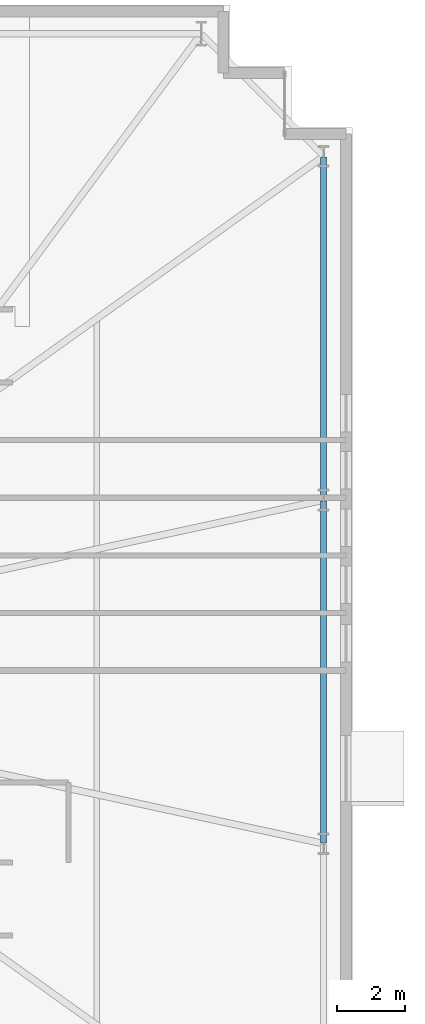
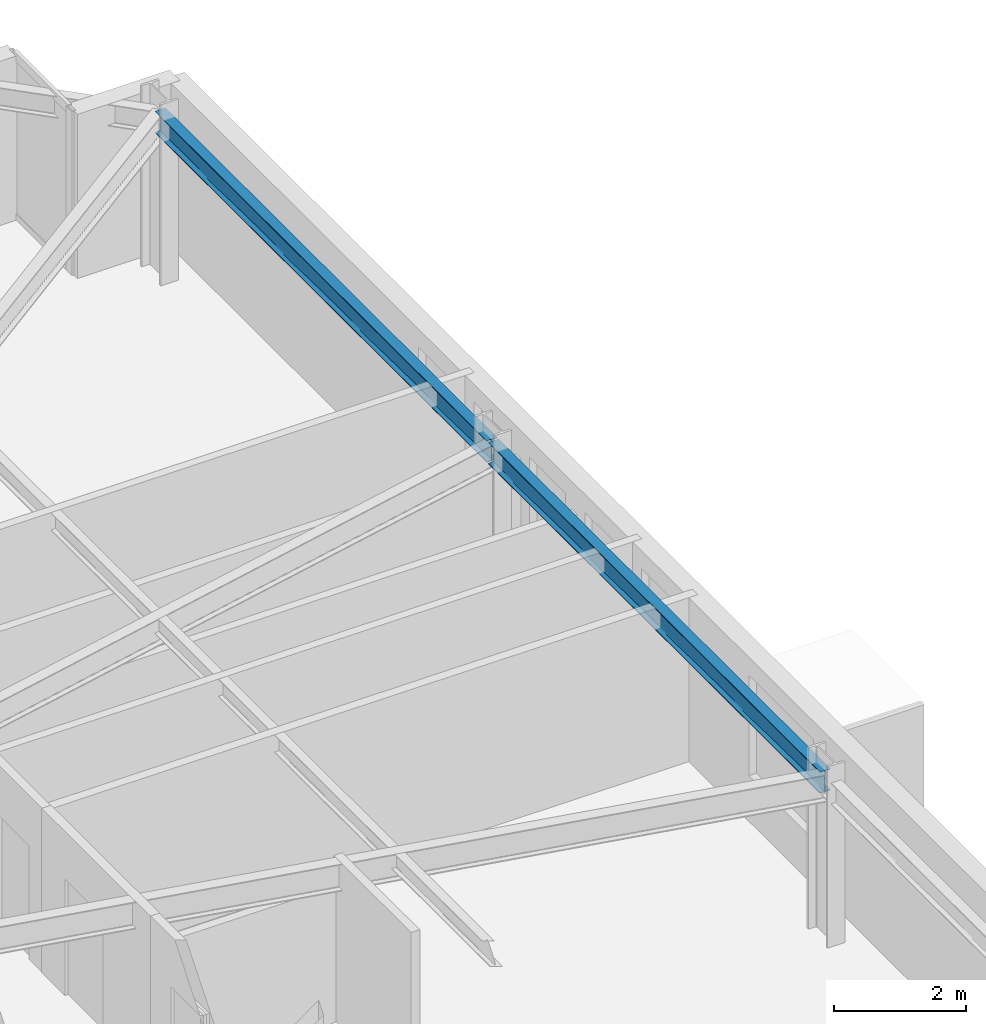
# One storey, part 11 of 22: 2 beams.
"""IFC4 building model written with IfcOpenShell, lengths in metres."""

from ifc_helpers import new_model, si_unit, direction, frame, origin, origin_2d, place, context, subcontext, project, spatial, i_section, extrude, material, material_profile, profile_set, type_object, element, save


model = new_model("IFC4")

# Units and contexts
model_context = context("Model", 3, precision=1e-05, world=origin(), true_north=direction((0.0, 1.0)))
body_context = subcontext(model_context, "Body", "Model", "MODEL_VIEW")
ifc_project = project(units=[si_unit("LENGTHUNIT", "METRE"), si_unit("AREAUNIT", "SQUARE_METRE"), si_unit("VOLUMEUNIT", "CUBIC_METRE"), si_unit("PLANEANGLEUNIT", "RADIAN"), si_unit("MASSUNIT", "GRAM", prefix="KILO")], contexts=[model_context])

# Site, building, storey
site_placement = place(None, origin())
site = spatial("IfcSite", under=ifc_project, at=site_placement, CompositionType="ELEMENT")
building_placement = place(site_placement, origin())
building = spatial("IfcBuilding", under=site, at=building_placement, Name="Qobustan Lattice House", CompositionType="ELEMENT")
storey_placement = place(building_placement, frame((0.0, 0.0, 33.699951171875)))
storey = spatial("IfcBuildingStorey", under=building, at=storey_placement, Name="L08", CompositionType="ELEMENT", Elevation=33.699951171875)

# Beams
ifc_material = material(Name="Steel S355", Category="steel")
ifc_material_profile = material_profile(ifc_material, i_section(OverallWidth=0.179931640625, OverallDepth=0.39990234375, WebThickness=0.008544921875, FlangeThickness=0.013427734375, FilletRadius=0.02099609375, at=origin_2d()), Name="IPE400")
ifc_profile_set = profile_set([ifc_material_profile], Name="Steel S355")
beam_type = type_object("IfcBeamType", Name="BM-SPD-IPE400", PredefinedType="SPANDREL", material=ifc_profile_set)
beam_1_placement = place(storey_placement, frame((32.14990234375, -5.02490234375, 2.8349609375), z_axis=(0.0, 1.0, 0.0), x_axis=(-1.0, 0.0, 0.0)))
element("IfcBeam", 1, at=beam_1_placement, inside=storey, type_object=beam_type, Name="L08 perimeter spandrel E2-E3", PredefinedType="SPANDREL", context=body_context, shape_type="SweptSolid", body=[
    extrude(i_section(OverallWidth=0.179931640625, OverallDepth=0.39990234375, WebThickness=0.008544921875, FlangeThickness=0.013427734375, FilletRadius=0.02099609375, at=origin_2d()), origin(), (0.0, 0.0, 1.0), 10.0498046875),
])
beam_2_placement = place(storey_placement, frame((32.14990234375, 5.074951171875, 2.8349609375), z_axis=(0.0, 1.0, 0.0), x_axis=(-1.0, 0.0, 0.0)))
element("IfcBeam", 2, at=beam_2_placement, inside=storey, type_object=beam_type, Name="L08 perimeter spandrel E3-E4", PredefinedType="SPANDREL", context=body_context, shape_type="SweptSolid", body=[
    extrude(i_section(OverallWidth=0.179931640625, OverallDepth=0.39990234375, WebThickness=0.008544921875, FlangeThickness=0.013427734375, FilletRadius=0.02099609375, at=origin_2d()), origin(), (0.0, 0.0, 1.0), 10.050048828125),
])

save(model, "model.ifc")
